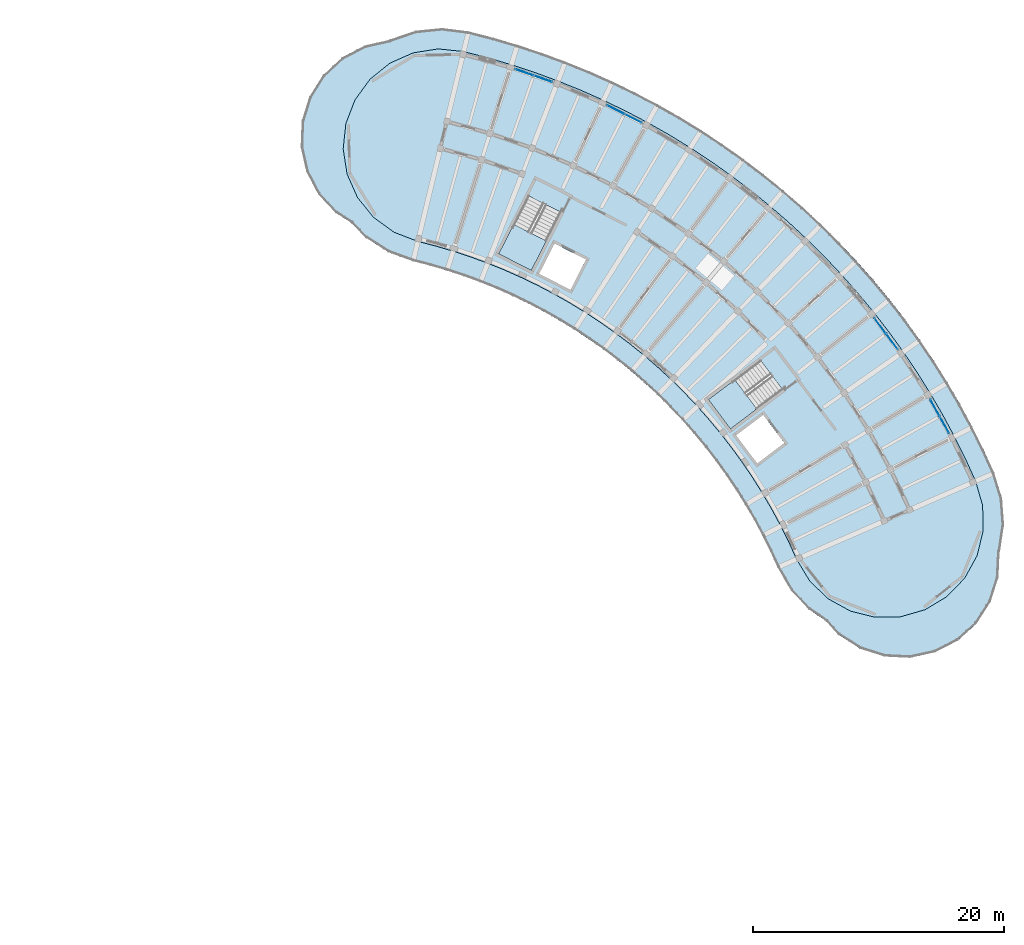
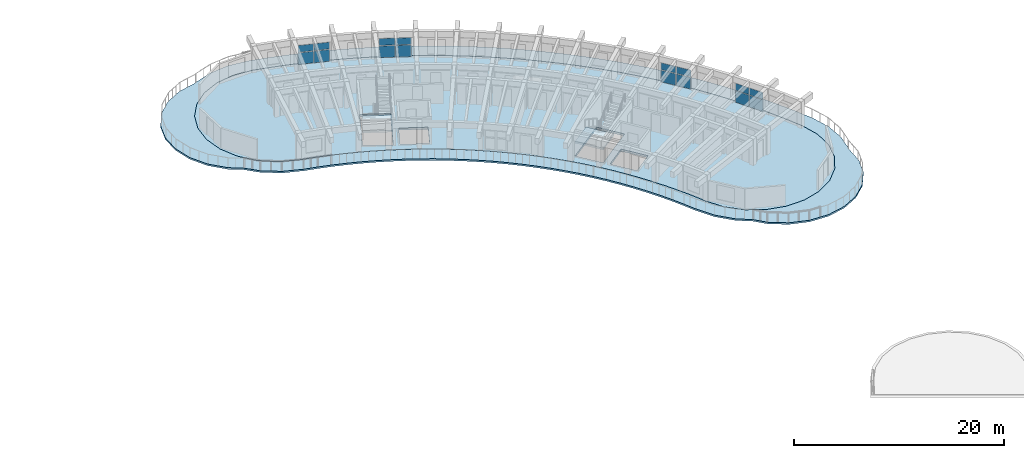
# One storey, part 32 of 62: 16 plates, 4 slabs, 6 elements without a shape of their own.
"""IFC4 building model written with IfcOpenShell, lengths in metres."""

import ifcopenshell
import ifcopenshell.guid

model = None  # the IFC model being written
_history = None  # IfcOwnerHistory: only IFC2X3 demands one
_inside = {}  # id of a spatial element -> (the spatial element, [elements in it])
_under = {}  # id of a project, library or spatial element -> (it, [spatial elements below it])
_declared = {}  # id of a project -> (the project, [libraries it declares])
_typed = {}  # id of a type object -> (the type object, [elements of that type])
_made_of = {}  # id of a material, layer set ... -> (it, [elements and type objects made of it])


def new_model(schema):
    """Start an empty IFC model of exactly this schema.

    Asked for "IFC4X3", IfcOpenShell would pick the latest addendum, in which some entities
    have other attributes; the version numbers below select the first issue.
    IFC2X3 requires an IfcOwnerHistory on every rooted entity: one is made here for all.
    """
    global model, _history
    if schema == "IFC4X3":
        model = ifcopenshell.file(schema_version=(4, 3, 0, 0))
    else:
        model = ifcopenshell.file(schema=schema)
    _inside.clear()
    _under.clear()
    _declared.clear()
    _typed.clear()
    _made_of.clear()
    _history = None
    if model.schema == "IFC2X3":
        org = make("IfcOrganization", Name="unknown")
        user = make(
            "IfcPersonAndOrganization",
            ThePerson=make("IfcPerson", FamilyName="unknown"),
            TheOrganization=org,
        )
        app = make(
            "IfcApplication",
            ApplicationDeveloper=org,
            Version="unknown",
            ApplicationFullName="unknown",
            ApplicationIdentifier="unknown",
        )
        _history = make(
            "IfcOwnerHistory",
            OwningUser=user,
            OwningApplication=app,
            ChangeAction="ADDED",
            CreationDate=0,
        )
    return model


def make(cls, **values):
    """One entity of the class cls with the attributes given. An attribute that is None is left unset."""
    return model.create_entity(
        cls, **{name: value for name, value in values.items() if value is not None}
    )


def rooted(cls, **values):
    """An entity with a GlobalId (a new one), such as an element, a storey or a relation."""
    return make(cls, GlobalId=ifcopenshell.guid.new(), OwnerHistory=_history, **values)


def si_unit(unit_type, name, prefix=None):
    """IfcSIUnit, for example si_unit("LENGTHUNIT", "METRE", prefix="MILLI")."""
    return make("IfcSIUnit", UnitType=unit_type, Prefix=prefix, Name=name)


def assignment(units):
    """IfcUnitAssignment: the units of a project."""
    return None if units is None else make("IfcUnitAssignment", Units=units)


def point(xyz):
    """IfcCartesianPoint."""
    return None if xyz is None else make("IfcCartesianPoint", Coordinates=xyz)


def direction(xyz):
    """IfcDirection."""
    return None if xyz is None else make("IfcDirection", DirectionRatios=xyz)


def frame(location, z_axis=None, x_axis=None):
    """IfcAxis2Placement3D, a coordinate frame: its origin and axes. An axis left out is left unset."""
    return make(
        "IfcAxis2Placement3D",
        Location=point(location),
        Axis=direction(z_axis),
        RefDirection=direction(x_axis),
    )


def frame_2d(location, x_axis=None):
    """IfcAxis2Placement2D, a coordinate frame in the plane: its origin and x axis."""
    return make(
        "IfcAxis2Placement2D", Location=point(location), RefDirection=direction(x_axis)
    )


def origin():
    """The frame at (0, 0, 0) with its axes left unset."""
    return frame((0.0, 0.0, 0.0))


def origin_2d():
    """The frame at (0, 0) in the plane with its x axis left unset."""
    return frame_2d((0.0, 0.0))


def place(relative_to, where):
    """IfcLocalPlacement: puts the frame where relative to a parent placement (None: the world)."""
    return make(
        "IfcLocalPlacement", PlacementRelTo=relative_to, RelativePlacement=where
    )


def context(
    kind, dimensions, precision=None, world=None, true_north=None, identifier=None
):
    """IfcGeometricRepresentationContext, for example the 3D "Model" context."""
    return make(
        "IfcGeometricRepresentationContext",
        ContextIdentifier=identifier,
        ContextType=kind,
        CoordinateSpaceDimension=dimensions,
        Precision=precision,
        WorldCoordinateSystem=world,
        TrueNorth=true_north,
    )


def subcontext(parent, identifier, kind, view, scale=None):
    """IfcGeometricRepresentationSubContext, for example "Body" below "Model"."""
    return make(
        "IfcGeometricRepresentationSubContext",
        ContextIdentifier=identifier,
        ContextType=kind,
        ParentContext=parent,
        TargetScale=scale,
        TargetView=view,
    )


def project(units=None, contexts=None):
    """IfcProject with its units and contexts."""
    return rooted(
        "IfcProject",
        Name="project",
        RepresentationContexts=contexts,
        UnitsInContext=assignment(units),
    )


def spatial(cls, under=None, at=None, **own):
    """A site, building, storey or space (cls), placed at a placement, below another one or the project."""
    s = rooted(cls, ObjectPlacement=at, **own)
    if under is not None:
        _under.setdefault(under.id(), (under, []))[1].append(s)
    return s


def polyline(points):
    """IfcPolyline through the points."""
    return make("IfcPolyline", Points=[point(p) for p in points])


def profile(cls, at=None, kind="AREA", **sizes):
    """A parametric profile (cls). Its sizes go by their IFC names, for example OverallWidth=200.0."""
    return make(cls, ProfileType=kind, Position=at, **sizes)


def rectangle(**sizes):
    """IfcRectangleProfileDef."""
    return profile("IfcRectangleProfileDef", **sizes)


def outline(outer, holes=None, kind="AREA"):
    """IfcArbitraryClosedProfileDef: a profile drawn as a closed curve; with holes, ...WithVoids."""
    if holes is None:
        return make("IfcArbitraryClosedProfileDef", ProfileType=kind, OuterCurve=outer)
    return make(
        "IfcArbitraryProfileDefWithVoids",
        ProfileType=kind,
        OuterCurve=outer,
        InnerCurves=holes,
    )


def extrude(swept, where, along, depth):
    """IfcExtrudedAreaSolid: the profile swept, set in the frame where, extruded along a direction by depth."""
    return make(
        "IfcExtrudedAreaSolid",
        SweptArea=swept,
        Position=where,
        ExtrudedDirection=direction(along),
        Depth=depth,
    )


def shape(context_of_items, identifier, shape_type, items):
    """IfcShapeRepresentation: the items that make up one representation, for example the "Body"."""
    return make(
        "IfcShapeRepresentation",
        ContextOfItems=context_of_items,
        RepresentationIdentifier=identifier,
        RepresentationType=shape_type,
        Items=items,
    )


def material(Name=None, Category=None):
    """IfcMaterial."""
    return make("IfcMaterial", Name=Name, Category=Category)


def layer(
    of_material, thickness, ventilated=None, Name=None, Category=None, Priority=None
):
    """IfcMaterialLayer: one layer of a wall or slab, of a material (None: an air gap)."""
    return make(
        "IfcMaterialLayer",
        Material=of_material,
        LayerThickness=thickness,
        IsVentilated=ventilated,
        Name=Name,
        Category=Category,
        Priority=Priority,
    )


def layer_set(layers, Name=None):
    """IfcMaterialLayerSet."""
    return make("IfcMaterialLayerSet", MaterialLayers=layers, LayerSetName=Name)


def made_of(thing, what):
    """Note that an element or type object is made of a material, layer set ...; save() writes the relation."""
    if what is not None:
        _made_of.setdefault(what.id(), (what, []))[1].append(thing)
    return thing


def type_object(cls, material=None, **own):
    """A type object (cls), such as IfcWallType, which elements share."""
    return made_of(rooted(cls, **own), material)


def element(
    cls,
    number,
    at=None,
    inside=None,
    cuts=None,
    type_object=None,
    material=None,
    context=None,
    identifier="Body",
    shape_type=None,
    held_by="IfcProductDefinitionShape",
    body=None,
    shapes=None,
    **own,
):
    """One element of the class cls, such as IfcWall. Its Tag is "e" and its number.

    at: its placement. inside: the storey or other place that contains it. cuts: it is an
    opening in that element (IfcRelVoidsElement). A single representation is given by context,
    identifier, shape_type and body (its items); several are given by shapes. held_by: the class
    of the entity that holds the representations. save() writes the other relations.
    """
    e = rooted(cls, Tag="e%d" % number, ObjectPlacement=at, **own)
    if body is not None:
        shapes = [shape(context, identifier, shape_type, body)]
    if shapes is not None:
        e.Representation = make(held_by, Representations=shapes)
    if inside is not None:
        _inside.setdefault(inside.id(), (inside, []))[1].append(e)
    if cuts is not None:
        rooted(
            "IfcRelVoidsElement", RelatingBuildingElement=cuts, RelatedOpeningElement=e
        )
    if type_object is not None:
        _typed.setdefault(type_object.id(), (type_object, []))[1].append(e)
    return made_of(e, material)


def aggregate(whole, parts):
    """IfcRelAggregates: a whole, such as a stair, and the parts it consists of."""
    return rooted("IfcRelAggregates", RelatingObject=whole, RelatedObjects=parts)


def save(model, path):
    """Write the relations noted so far, then the file.

    IfcRelAggregates (storeys below a building ...), IfcRelContainedInSpatialStructure (elements
    in a storey), IfcRelDefinesByType, IfcRelAssociatesMaterial and IfcRelDeclares: one each for
    every whole, place, type object, material and project.
    """
    for whole, parts in _under.values():
        aggregate(whole, parts)
    for where, things in _inside.values():
        rooted(
            "IfcRelContainedInSpatialStructure",
            RelatedElements=things,
            RelatingStructure=where,
        )
    for kind, things in _typed.values():
        rooted("IfcRelDefinesByType", RelatedObjects=things, RelatingType=kind)
    for what, things in _made_of.values():
        rooted("IfcRelAssociatesMaterial", RelatedObjects=things, RelatingMaterial=what)
    for by, libraries in _declared.values():
        rooted("IfcRelDeclares", RelatingContext=by, RelatedDefinitions=libraries)
    model.write(path)


model = new_model("IFC4")

# Units and contexts
model_context = context("Model", 3, precision=1e-05, world=origin(), true_north=direction((0.0, 1.0)))
body_context = subcontext(model_context, "Body", "Model", "MODEL_VIEW")
ifc_project = project(units=[si_unit("LENGTHUNIT", "METRE"), si_unit("AREAUNIT", "SQUARE_METRE"), si_unit("VOLUMEUNIT", "CUBIC_METRE"), si_unit("PLANEANGLEUNIT", "RADIAN"), si_unit("MASSUNIT", "GRAM", prefix="KILO")], contexts=[model_context])

# Site, building, storey
site_placement = place(None, origin())
site = spatial("IfcSite", under=ifc_project, at=site_placement, CompositionType="ELEMENT")
building_placement = place(site_placement, origin())
building = spatial("IfcBuilding", under=site, at=building_placement, Name="Tanwirah Colonnade Gardens", CompositionType="ELEMENT")
storey_placement = place(building_placement, frame((0.0, 0.0, 32.360107421875)))
storey = spatial("IfcBuildingStorey", under=building, at=storey_placement, Name="L09", CompositionType="ELEMENT", Elevation=32.360107421875)

# Curtain wall, plates
ifc_material_1 = material(Name="Bronze-anodised aluminium and solar-control low-E glass", Category="aluminium")
curtain_wall_type = type_object("IfcCurtainWallType", Name="CW-LOB", PredefinedType="NOTDEFINED", material=ifc_material_1)
curtain_wall_1_placement = place(storey_placement, origin())
curtain_wall_1 = element("IfcCurtainWall", 1, at=curtain_wall_1_placement, inside=storey, type_object=curtain_wall_type, Name="Curtain Wall CW-B-L09-OUT-03", PredefinedType="NOTDEFINED")
ifc_material_2 = material(Name="Insulated bronze aluminium spandrel panel", Category="aluminium")
ifc_layer_1 = layer(ifc_material_2, 0.035888671875)
ifc_layer_set_1 = layer_set([ifc_layer_1], Name="Insulated bronze aluminium spandrel panel")
plate_type = type_object("IfcPlateType", Name="CWP-SPN36", PredefinedType="CURTAIN_PANEL", material=ifc_layer_set_1)
plate_1_placement = place(storey_placement, frame((173.326416015625, 88.571044921875, 0.06494140625), z_axis=(0.0, 0.0, 1.0), x_axis=(-0.488200181987, 0.8727316783, 0.0)))
plate_1 = element("IfcPlate", 2, at=plate_1_placement, type_object=plate_type, Name="CW-LOB panel 1.1", PredefinedType="CURTAIN_PANEL", context=body_context, shape_type="SweptSolid", body=[
    extrude(rectangle(XDim=1.50537109375, YDim=0.035888671875, at=origin_2d()), origin(), (0.0, 0.0, 1.0), 1.362548828125),
])
plate_2_placement = place(storey_placement, frame((173.326416015625, 88.571044921875, 1.492431640625), z_axis=(0.0, 0.0, 1.0), x_axis=(-0.488200181987, 0.8727316783, 0.0)))
plate_2 = element("IfcPlate", 3, at=plate_2_placement, type_object=plate_type, Name="CW-LOB panel 1.2", PredefinedType="CURTAIN_PANEL", context=body_context, shape_type="SweptSolid", body=[
    extrude(rectangle(XDim=1.50537109375, YDim=0.035888671875, at=origin_2d()), origin(), (0.0, 0.0, 1.0), 0.79736328125),
])
plate_3_placement = place(storey_placement, frame((172.5595703125, 89.941650390625, 0.06494140625), z_axis=(0.0, 0.0, 1.0), x_axis=(-0.488200181987, 0.8727316783, 0.0)))
plate_3 = element("IfcPlate", 4, at=plate_3_placement, type_object=plate_type, Name="CW-LOB panel 2.1", PredefinedType="CURTAIN_PANEL", context=body_context, shape_type="SweptSolid", body=[
    extrude(rectangle(XDim=1.50537109375, YDim=0.035888671875, at=origin_2d()), origin(), (0.0, 0.0, 1.0), 1.362548828125),
])
plate_4_placement = place(storey_placement, frame((172.5595703125, 89.941650390625, 1.492431640625), z_axis=(0.0, 0.0, 1.0), x_axis=(-0.488200181987, 0.8727316783, 0.0)))
plate_4 = element("IfcPlate", 5, at=plate_4_placement, type_object=plate_type, Name="CW-LOB panel 2.2", PredefinedType="CURTAIN_PANEL", context=body_context, shape_type="SweptSolid", body=[
    extrude(rectangle(XDim=1.50537109375, YDim=0.035888671875, at=origin_2d()), origin(), (0.0, 0.0, 1.0), 0.79736328125),
])
aggregate(curtain_wall_1, [plate_1, plate_2, plate_3, plate_4])

curtain_wall_2_placement = place(storey_placement, origin())
curtain_wall_2 = element("IfcCurtainWall", 6, at=curtain_wall_2_placement, inside=storey, type_object=curtain_wall_type, Name="Curtain Wall CW-B-L09-OUT-05", PredefinedType="NOTDEFINED")
plate_5_placement = place(storey_placement, frame((169.1416015625, 95.205078125, 0.06494140625), z_axis=(0.0, 0.0, 1.0), x_axis=(-0.598712015425, 0.80096437036, 0.0)))
plate_5 = element("IfcPlate", 7, at=plate_5_placement, type_object=plate_type, Name="CW-LOB panel 1.1", PredefinedType="CURTAIN_PANEL", context=body_context, shape_type="SweptSolid", body=[
    extrude(rectangle(XDim=1.50537109375, YDim=0.035888671875, at=origin_2d()), origin(), (0.0, 0.0, 1.0), 1.362548828125),
])
plate_6_placement = place(storey_placement, frame((169.1416015625, 95.205078125, 1.492431640625), z_axis=(0.0, 0.0, 1.0), x_axis=(-0.598712015425, 0.80096437036, 0.0)))
plate_6 = element("IfcPlate", 8, at=plate_6_placement, type_object=plate_type, Name="CW-LOB panel 1.2", PredefinedType="CURTAIN_PANEL", context=body_context, shape_type="SweptSolid", body=[
    extrude(rectangle(XDim=1.50537109375, YDim=0.035888671875, at=origin_2d()), origin(), (0.0, 0.0, 1.0), 0.79736328125),
])
plate_7_placement = place(storey_placement, frame((168.201416015625, 96.462890625, 0.06494140625), z_axis=(0.0, 0.0, 1.0), x_axis=(-0.598712015425, 0.80096437036, 0.0)))
plate_7 = element("IfcPlate", 9, at=plate_7_placement, type_object=plate_type, Name="CW-LOB panel 2.1", PredefinedType="CURTAIN_PANEL", context=body_context, shape_type="SweptSolid", body=[
    extrude(rectangle(XDim=1.50537109375, YDim=0.035888671875, at=origin_2d()), origin(), (0.0, 0.0, 1.0), 1.362548828125),
])
plate_8_placement = place(storey_placement, frame((168.201416015625, 96.462890625, 1.492431640625), z_axis=(0.0, 0.0, 1.0), x_axis=(-0.598712015425, 0.80096437036, 0.0)))
plate_8 = element("IfcPlate", 10, at=plate_8_placement, type_object=plate_type, Name="CW-LOB panel 2.2", PredefinedType="CURTAIN_PANEL", context=body_context, shape_type="SweptSolid", body=[
    extrude(rectangle(XDim=1.50537109375, YDim=0.035888671875, at=origin_2d()), origin(), (0.0, 0.0, 1.0), 0.79736328125),
])
aggregate(curtain_wall_2, [plate_5, plate_6, plate_7, plate_8])

curtain_wall_3_placement = place(storey_placement, origin())
curtain_wall_3 = element("IfcCurtainWall", 11, at=curtain_wall_3_placement, inside=storey, type_object=curtain_wall_type, Name="Curtain Wall CW-B-L09-OUT-12", PredefinedType="NOTDEFINED")
plate_9_placement = place(storey_placement, frame((148.515625, 112.981201171875, 0.06494140625), z_axis=(0.0, 0.0, 1.0), x_axis=(-0.892761485506, 0.450529610567, 0.0)))
plate_9 = element("IfcPlate", 12, at=plate_9_placement, type_object=plate_type, Name="CW-LOB panel 1.1", PredefinedType="CURTAIN_PANEL", context=body_context, shape_type="SweptSolid", body=[
    extrude(rectangle(XDim=1.50537109375, YDim=0.035888671875, at=origin_2d()), origin(), (0.0, 0.0, 1.0), 1.362548828125),
])
plate_10_placement = place(storey_placement, frame((148.515625, 112.981201171875, 1.492431640625), z_axis=(0.0, 0.0, 1.0), x_axis=(-0.892761485506, 0.450529610567, 0.0)))
plate_10 = element("IfcPlate", 13, at=plate_10_placement, type_object=plate_type, Name="CW-LOB panel 1.2", PredefinedType="CURTAIN_PANEL", context=body_context, shape_type="SweptSolid", body=[
    extrude(rectangle(XDim=1.50537109375, YDim=0.035888671875, at=origin_2d()), origin(), (0.0, 0.0, 1.0), 0.79736328125),
])
plate_11_placement = place(storey_placement, frame((147.113525390625, 113.688720703125, 0.06494140625), z_axis=(0.0, 0.0, 1.0), x_axis=(-0.892761485506, 0.450529610567, 0.0)))
plate_11 = element("IfcPlate", 14, at=plate_11_placement, type_object=plate_type, Name="CW-LOB panel 2.1", PredefinedType="CURTAIN_PANEL", context=body_context, shape_type="SweptSolid", body=[
    extrude(rectangle(XDim=1.50537109375, YDim=0.035888671875, at=origin_2d()), origin(), (0.0, 0.0, 1.0), 1.362548828125),
])
plate_12_placement = place(storey_placement, frame((147.113525390625, 113.688720703125, 1.492431640625), z_axis=(0.0, 0.0, 1.0), x_axis=(-0.892761485506, 0.450529610567, 0.0)))
plate_12 = element("IfcPlate", 15, at=plate_12_placement, type_object=plate_type, Name="CW-LOB panel 2.2", PredefinedType="CURTAIN_PANEL", context=body_context, shape_type="SweptSolid", body=[
    extrude(rectangle(XDim=1.50537109375, YDim=0.035888671875, at=origin_2d()), origin(), (0.0, 0.0, 1.0), 0.79736328125),
])
aggregate(curtain_wall_3, [plate_9, plate_10, plate_11, plate_12])

curtain_wall_4_placement = place(storey_placement, origin())
curtain_wall_4 = element("IfcCurtainWall", 16, at=curtain_wall_4_placement, inside=storey, type_object=curtain_wall_type, Name="Curtain Wall CW-B-L09-OUT-14", PredefinedType="NOTDEFINED")
plate_13_placement = place(storey_placement, frame((141.336669921875, 116.140869140625, 0.06494140625), z_axis=(0.0, 0.0, 1.0), x_axis=(-0.944248993208, 0.329232195914, 0.0)))
plate_13 = element("IfcPlate", 17, at=plate_13_placement, type_object=plate_type, Name="CW-LOB panel 1.1", PredefinedType="CURTAIN_PANEL", context=body_context, shape_type="SweptSolid", body=[
    extrude(rectangle(XDim=1.50537109375, YDim=0.035888671875, at=origin_2d()), origin(), (0.0, 0.0, 1.0), 1.362548828125),
])
plate_14_placement = place(storey_placement, frame((141.336669921875, 116.140869140625, 1.492431640625), z_axis=(0.0, 0.0, 1.0), x_axis=(-0.944248993208, 0.329232195914, 0.0)))
plate_14 = element("IfcPlate", 18, at=plate_14_placement, type_object=plate_type, Name="CW-LOB panel 1.2", PredefinedType="CURTAIN_PANEL", context=body_context, shape_type="SweptSolid", body=[
    extrude(rectangle(XDim=1.50537109375, YDim=0.035888671875, at=origin_2d()), origin(), (0.0, 0.0, 1.0), 0.79736328125),
])
plate_15_placement = place(storey_placement, frame((139.853759765625, 116.657958984375, 0.06494140625), z_axis=(0.0, 0.0, 1.0), x_axis=(-0.944248993208, 0.329232195914, 0.0)))
plate_15 = element("IfcPlate", 19, at=plate_15_placement, type_object=plate_type, Name="CW-LOB panel 2.1", PredefinedType="CURTAIN_PANEL", context=body_context, shape_type="SweptSolid", body=[
    extrude(rectangle(XDim=1.50537109375, YDim=0.035888671875, at=origin_2d()), origin(), (0.0, 0.0, 1.0), 1.362548828125),
])
plate_16_placement = place(storey_placement, frame((139.853759765625, 116.657958984375, 1.492431640625), z_axis=(0.0, 0.0, 1.0), x_axis=(-0.944248993208, 0.329232195914, 0.0)))
plate_16 = element("IfcPlate", 20, at=plate_16_placement, type_object=plate_type, Name="CW-LOB panel 2.2", PredefinedType="CURTAIN_PANEL", context=body_context, shape_type="SweptSolid", body=[
    extrude(rectangle(XDim=1.50537109375, YDim=0.035888671875, at=origin_2d()), origin(), (0.0, 0.0, 1.0), 0.79736328125),
])
aggregate(curtain_wall_4, [plate_13, plate_14, plate_15, plate_16])

# Slab
ifc_material_3 = material(Name="White architectural precast concrete C40/50", Category="concrete")
ifc_layer_2 = layer(ifc_material_3, 0.18994140625)
ifc_layer_set_2 = layer_set([ifc_layer_2], Name="White architectural precast concrete C40/50")
slab_type_1 = type_object("IfcSlabType", Name="SL-BAL-190", PredefinedType="FLOOR", material=ifc_layer_set_2)
slab_1_placement = place(storey_placement, frame((0.0, 0.0, -0.190185546875)))
element("IfcSlab", 21, at=slab_1_placement, inside=storey, type_object=slab_type_1, Name="Block B L09 Continuous White Balcony Ribbon", PredefinedType="FLOOR", context=body_context, shape_type="SweptSolid", body=[
    extrude(outline(polyline([(163.921875, 72.910888671875), (164.895751953125, 71.83984375), (166.60888671875, 70.739013671875), (168.54833984375, 70.119140625), (170.582275390625, 70.0224609375), (172.572021484375, 70.45556640625), (174.381591796875, 71.388671875), (175.88818359375, 72.758544921875), (176.989013671875, 74.4716796875), (177.60888671875, 76.4111328125), (177.705322265625, 78.4423828125), (177.74609375, 78.545654296875), (178.060302734375, 80.627197265625), (177.903564453125, 82.72607421875), (177.28369140625, 84.73779296875), (176.4443359375, 86.57958984375), (175.544677734375, 88.392822265625), (174.585693359375, 90.17529296875), (173.568603515625, 91.92529296875), (172.494384765625, 93.640869140625), (171.3642578125, 95.320068359375), (170.17919921875, 96.9609375), (168.940673828125, 98.56201171875), (167.650146484375, 100.121337890625), (166.30908203125, 101.63720703125), (164.91845703125, 103.108154296875), (163.48046875, 104.532470703125), (161.99609375, 105.90869140625), (160.467041015625, 107.235107421875), (158.895263671875, 108.510498046875), (157.282470703125, 109.7333984375), (155.6298828125, 110.90234375), (153.93994140625, 112.01611328125), (152.214111328125, 113.07373046875), (150.454345703125, 114.073974609375), (148.66259765625, 115.015380859375), (146.8408203125, 115.8974609375), (144.990966796875, 116.718994140625), (143.114990234375, 117.47900390625), (141.21484375, 118.1767578125), (139.29296875, 118.811767578125), (137.35107421875, 119.3828125), (135.391357421875, 119.8896484375), (133.302734375, 120.150634765625), (131.208251953125, 119.940673828125), (129.213134765625, 119.26953125), (129.118408203125, 119.211669921875), (127.134765625, 118.763916015625), (125.332275390625, 117.816650390625), (123.83642578125, 116.43505859375), (122.7490234375, 114.713623046875), (122.144287109375, 112.769287109375), (122.0634765625, 110.734619140625), (122.51171875, 108.74853515625), (123.458984375, 106.946044921875), (124.840576171875, 105.4501953125), (126.064453125, 104.677001953125), (127.23828125, 103.47412109375), (129.0068359375, 102.332763671875), (130.98486328125, 101.61328125), (132.344482421875, 101.26171875), (133.69189453125, 100.865478515625), (135.025390625, 100.425048828125), (136.343505859375, 99.94091796875), (137.645263671875, 99.41357421875), (138.9287109375, 98.843505859375), (140.192626953125, 98.231689453125), (141.435791015625, 97.578369140625), (142.65673828125, 96.884521484375), (143.85400390625, 96.150634765625), (145.026611328125, 95.3779296875), (146.173095703125, 94.566650390625), (147.292236328125, 93.71826171875), (148.3828125, 92.83349609375), (149.443603515625, 91.9130859375), (150.473388671875, 90.95849609375), (151.47119140625, 89.97021484375), (152.435791015625, 88.94970703125), (153.366455078125, 87.89794921875), (154.26171875, 86.81591796875), (155.12109375, 85.705078125), (155.943115234375, 84.566650390625), (156.727294921875, 83.401611328125), (157.47265625, 82.21142578125), (158.178466796875, 80.997314453125), (158.84375, 79.760498046875), (159.468017578125, 78.50244140625), (160.05029296875, 77.224609375), (161.102294921875, 75.4013671875), (162.533447265625, 73.85791015625), (163.921875, 72.910888671875)]), holes=[polyline([(162.583251953125, 76.13232421875), (161.53466796875, 77.873291015625), (160.930908203125, 79.1982421875), (160.9306640625, 79.19873046875), (160.282958984375, 80.504150390625), (160.28271484375, 80.504638671875), (159.59228515625, 81.787841796875), (159.592041015625, 81.788330078125), (158.85986328125, 83.048095703125), (158.859619140625, 83.048828125), (158.086181640625, 84.28369140625), (158.0859375, 84.2841796875), (157.272216796875, 85.492919921875), (157.271728515625, 85.493408203125), (156.418701171875, 86.6748046875), (156.41845703125, 86.67529296875), (155.52685546875, 87.827880859375), (155.526611328125, 87.828369140625), (154.597412109375, 88.950927734375), (154.59716796875, 88.951416015625), (153.631591796875, 90.042724609375), (153.631103515625, 90.043212890625), (152.630126953125, 91.10205078125), (152.629638671875, 91.1025390625), (151.594482421875, 92.1279296875), (151.593994140625, 92.12841796875), (150.525390625, 93.118896484375), (150.52490234375, 93.119384765625), (149.42431640625, 94.07421875), (149.423828125, 94.07470703125), (148.292236328125, 94.99267578125), (148.291748046875, 94.9931640625), (147.130615234375, 95.87353515625), (147.130126953125, 95.873779296875), (145.940673828125, 96.71533203125), (145.940185546875, 96.7158203125), (144.723388671875, 97.517578125), (144.722900390625, 97.51806640625), (143.48046875, 98.279296875), (143.47998046875, 98.279541015625), (142.213134765625, 98.99951171875), (142.212646484375, 99.0), (140.9228515625, 99.677734375), (140.922119140625, 99.677978515625), (139.61083984375, 100.31298828125), (139.610107421875, 100.313232421875), (138.2783203125, 100.904541015625), (138.27783203125, 100.90478515625), (136.92724609375, 101.451904296875), (136.9267578125, 101.4521484375), (135.55908203125, 101.95458984375), (135.558349609375, 101.954833984375), (134.1748046875, 102.411865234375), (134.174072265625, 102.411865234375), (132.7763671875, 102.822998046875), (132.775634765625, 102.8232421875), (131.365966796875, 103.187744140625), (129.46923828125, 103.91796875), (127.827392578125, 105.11328125), (126.55078125, 106.69287109375), (125.7265625, 108.549072265625), (125.410888671875, 110.555419921875), (125.625, 112.574951171875), (126.354736328125, 114.47021484375), (127.550048828125, 116.1123046875), (129.129638671875, 117.388671875), (130.98583984375, 118.213134765625), (132.9921875, 118.52880859375), (135.012939453125, 118.314453125), (136.919677734375, 117.8212890625), (138.810302734375, 117.26513671875), (140.681640625, 116.647216796875), (142.531494140625, 115.9677734375), (144.35791015625, 115.227783203125), (146.158935546875, 114.427978515625), (147.932861328125, 113.5693359375), (149.67724609375, 112.652587890625), (151.390625, 111.6787109375), (153.07080078125, 110.649169921875), (154.71630859375, 109.564453125), (156.3251953125, 108.42626953125), (157.8955078125, 107.23583984375), (159.42578125, 105.994140625), (160.914306640625, 104.70263671875), (162.359619140625, 103.36279296875), (163.759765625, 101.97607421875), (165.113525390625, 100.5439453125), (166.41943359375, 99.068115234375), (167.67578125, 97.5498046875), (168.881591796875, 95.990966796875), (170.035400390625, 94.393310546875), (171.1357421875, 92.758544921875), (172.181640625, 91.08837890625), (173.171875, 89.384521484375), (174.10546875, 87.64892578125), (174.9814453125, 85.883544921875), (175.79833984375, 84.09130859375), (176.3603515625, 82.138671875), (176.397705078125, 80.10791015625), (175.908203125, 78.136962890625), (174.92529296875, 76.359619140625), (173.515869140625, 74.897216796875), (171.776123046875, 73.849609375), (169.824462890625, 73.287841796875), (167.793701171875, 73.25048828125), (165.82275390625, 73.739990234375), (164.04541015625, 74.722900390625), (162.583251953125, 76.13232421875)])]), origin(), (0.0, 0.0, 1.0), 0.190185546875),
])

# Stair, slab
ifc_material_4 = material(Name="Precast concrete C40/50", Category="concrete")
stair_type = type_object("IfcStairType", Name="ST-RES168", PredefinedType="HALF_TURN_STAIR", material=ifc_material_4)
stair_1_placement = place(storey_placement, origin())
stair_1 = element("IfcStair", 22, at=stair_1_placement, inside=storey, type_object=stair_type, Name="L09 Block B Core 1 Exit Stair", PredefinedType="HALF_TURN_STAIR")
ifc_layer_3 = layer(ifc_material_4, 0.205078125)
ifc_layer_set_3 = layer_set([ifc_layer_3], Name="Precast concrete C40/50")
slab_type_2 = type_object("IfcSlabType", Name="SL-LND-205", PredefinedType="LANDING", material=ifc_layer_set_3)
slab_2_placement = place(storey_placement, frame((0.0, 0.0, 1.474853515625)))
slab_2 = element("IfcSlab", 23, at=slab_2_placement, type_object=slab_type_2, Name="ST-B1 landing 1", PredefinedType="LANDING", context=body_context, shape_type="SweptSolid", body=[
    extrude(outline(polyline([(156.615478515625, 92.171875), (154.510986328125, 90.586181640625), (156.268310546875, 88.254150390625), (158.372802734375, 89.83984375), (156.615478515625, 92.171875)])), origin(), (0.0, 0.0, 1.0), 0.205078125),
])
aggregate(stair_1, [slab_2])

stair_2_placement = place(storey_placement, origin())
stair_2 = element("IfcStair", 24, at=stair_2_placement, inside=storey, type_object=stair_type, Name="L09 Block B Core 2 Exit Stair", PredefinedType="HALF_TURN_STAIR")
slab_3_placement = place(storey_placement, frame((0.0, 0.0, 1.474853515625)))
slab_3 = element("IfcSlab", 25, at=slab_3_placement, type_object=slab_type_2, Name="ST-B2 landing 1", PredefinedType="LANDING", context=body_context, shape_type="SweptSolid", body=[
    extrude(outline(polyline([(138.995361328125, 104.549072265625), (137.799072265625, 102.201171875), (140.40087890625, 100.87548828125), (141.59716796875, 103.223388671875), (138.995361328125, 104.549072265625)])), origin(), (0.0, 0.0, 1.0), 0.205078125),
])
aggregate(stair_2, [slab_3])

# Slab
ifc_layer_4 = layer(ifc_material_4, 0.2451171875)
ifc_layer_set_4 = layer_set([ifc_layer_4], Name="Precast concrete C40/50")
slab_type_3 = type_object("IfcSlabType", Name="SL-RES-245", PredefinedType="FLOOR", material=ifc_layer_set_4)
slab_4_placement = place(storey_placement, frame((0.0, 0.0, -0.2451171875)))
element("IfcSlab", 26, at=slab_4_placement, inside=storey, type_object=slab_type_3, Name="Block B L09 Precast Composite Floor Slab", PredefinedType="FLOOR", context=body_context, shape_type="SweptSolid", body=[
    extrude(outline(polyline([(160.26513671875, 80.4951171875), (160.91259765625, 79.18994140625), (161.516845703125, 77.864013671875), (162.5673828125, 76.11962890625), (164.033447265625, 74.70654296875), (165.8154296875, 73.72119140625), (167.79150390625, 73.23046875), (169.827392578125, 73.26806640625), (171.7841796875, 73.8310546875), (173.528564453125, 74.881591796875), (174.941650390625, 76.34765625), (175.927001953125, 78.12939453125), (176.417724609375, 80.105712890625), (176.380126953125, 82.1416015625), (175.817138671875, 84.098388671875), (174.99951171875, 85.892333984375), (174.123291015625, 87.658203125), (173.189453125, 89.394287109375), (172.19873046875, 91.0986328125), (171.152587890625, 92.76953125), (170.0517578125, 94.40478515625), (168.897705078125, 96.0029296875), (167.69140625, 97.562255859375), (166.4345703125, 99.0810546875), (165.12841796875, 100.5576171875), (163.774169921875, 101.990234375), (162.37353515625, 103.377197265625), (160.927734375, 104.717529296875), (159.438720703125, 106.009521484375), (157.907958984375, 107.25146484375), (156.3369140625, 108.442626953125), (154.7275390625, 109.5810546875), (153.08154296875, 110.666015625), (151.400634765625, 111.696044921875), (149.686767578125, 112.669921875), (147.94189453125, 113.587158203125), (146.16748046875, 114.446044921875), (144.36572265625, 115.24609375), (142.53857421875, 115.986328125), (140.688232421875, 116.666015625), (138.816162109375, 117.284423828125), (136.925048828125, 117.840576171875), (135.016357421875, 118.334228515625), (132.991455078125, 118.549072265625), (130.980224609375, 118.232421875), (129.119140625, 117.406005859375), (127.535400390625, 116.1259765625), (126.3369140625, 114.47998046875), (125.60546875, 112.57958984375), (125.390625, 110.554931640625), (125.707275390625, 108.54345703125), (126.53369140625, 106.682373046875), (127.8134765625, 105.0986328125), (129.459716796875, 103.900390625), (131.35986328125, 103.168701171875), (132.770751953125, 102.803955078125), (134.16845703125, 102.392822265625), (135.552001953125, 101.935791015625), (136.919921875, 101.433349609375), (138.270263671875, 100.88623046875), (139.60205078125, 100.294921875), (140.91357421875, 99.659912109375), (142.203369140625, 98.982177734375), (143.47021484375, 98.26220703125), (144.71240234375, 97.5009765625), (145.92919921875, 96.698974609375), (147.11865234375, 95.857421875), (148.27978515625, 94.977294921875), (149.4111328125, 94.05908203125), (150.51171875, 93.104248046875), (151.580322265625, 92.11376953125), (152.61572265625, 91.08837890625), (153.61669921875, 90.029541015625), (154.58203125, 88.938232421875), (155.510986328125, 87.815673828125), (156.402587890625, 86.6630859375), (157.255615234375, 85.48193359375), (158.0693359375, 84.27294921875), (158.842529296875, 83.0380859375), (159.57470703125, 81.7783203125), (160.26513671875, 80.4951171875)]), holes=[polyline([(160.4169921875, 91.38427734375), (156.2666015625, 88.256591796875), (154.512939453125, 90.583740234375), (158.663330078125, 93.71142578125), (160.4169921875, 91.38427734375)]), polyline([(158.402587890625, 85.5048828125), (156.717529296875, 87.7412109375), (158.873779296875, 89.365966796875), (160.558837890625, 87.1298828125), (158.402587890625, 85.5048828125)]), polyline([(137.8017578125, 102.199951171875), (140.1611328125, 106.830322265625), (142.757568359375, 105.507568359375), (140.398193359375, 100.876953125), (137.8017578125, 102.199951171875)]), polyline([(142.255126953125, 103.01708984375), (144.75, 101.745849609375), (143.524169921875, 99.34033203125), (141.029541015625, 100.611328125), (142.255126953125, 103.01708984375)])]), origin(), (0.0, 0.0, 1.0), 0.2451171875),
])

save(model, "model.ifc")
